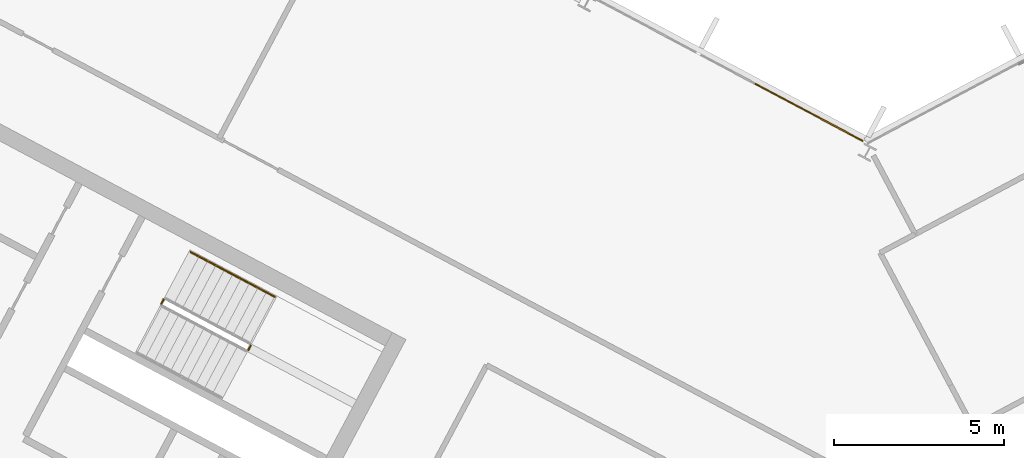
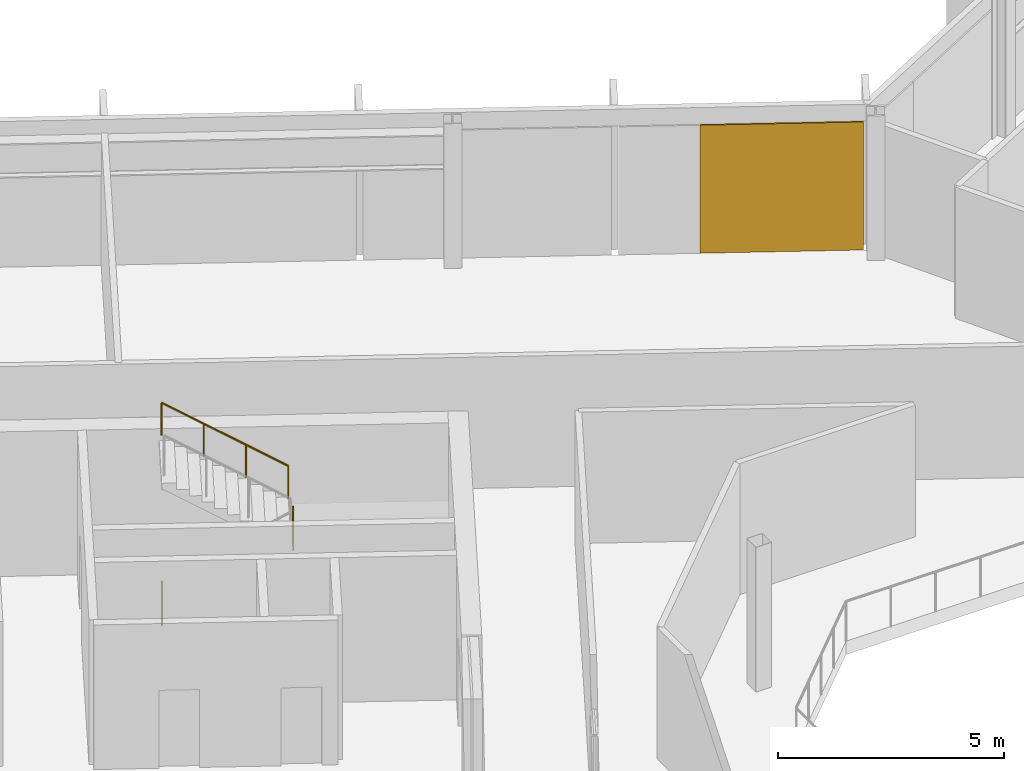
# One storey, part 22 of 25: 3 railings, 1 covering, 1 element without a shape of its own.
"""IFC4 building model written with IfcOpenShell, lengths in metres."""

from ifc_helpers import new_model, si_unit, direction, frame, origin, origin_2d, place, context, subcontext, project, spatial, polyline, rectangle, outline, extrude, material, layer, layer_set, type_object, element, aggregate, save


model = new_model("IFC4")

# Units and contexts
model_context = context("Model", 3, precision=1e-05, world=origin(), true_north=direction((0.0, 1.0)))
body_context = subcontext(model_context, "Body", "Model", "MODEL_VIEW")
ifc_project = project(units=[si_unit("LENGTHUNIT", "METRE"), si_unit("AREAUNIT", "SQUARE_METRE"), si_unit("VOLUMEUNIT", "CUBIC_METRE"), si_unit("PLANEANGLEUNIT", "RADIAN"), si_unit("MASSUNIT", "GRAM", prefix="KILO")], contexts=[model_context])

# Site, building, storey
site_placement = place(None, origin())
site = spatial("IfcSite", under=ifc_project, at=site_placement, CompositionType="ELEMENT")
building_placement = place(site_placement, origin())
building = spatial("IfcBuilding", under=site, at=building_placement, Name="Cormorant Relay Tower", CompositionType="ELEMENT")
storey_placement = place(building_placement, frame((0.0, 0.0, 281.39990234375)))
storey = spatial("IfcBuildingStorey", under=building, at=storey_placement, Name="L63", CompositionType="ELEMENT", Elevation=281.39990234375)

# Curtain wall, covering
ifc_material_1 = material(Name="Aluminium 6063-T6 anodised bronze", Category="aluminium")
ifc_layer_1 = layer(ifc_material_1, 0.199951171875)
ifc_layer_set_1 = layer_set([ifc_layer_1], Name="CW1 unitised bronze curtain wall with vertical fins")
curtain_wall_type = type_object("IfcCurtainWallType", Name="CW1 unitised bronze curtain wall with vertical fins", PredefinedType="NOTDEFINED", material=ifc_layer_set_1)
curtain_wall_placement = place(storey_placement, origin())
curtain_wall = element("IfcCurtainWall", 1, at=curtain_wall_placement, inside=storey, type_object=curtain_wall_type, Name="CW1 curtain wall 9", PredefinedType="NOTDEFINED")
ifc_material_2 = material(Name="Pale bronze anodised aluminium insulated panel", Category="aluminium")
ifc_layer_2 = layer(ifc_material_2, 0.0400390625)
ifc_layer_set_2 = layer_set([ifc_layer_2], Name="CW1 pale bronze insulated panel 40")
covering_type = type_object("IfcCoveringType", Name="CW1 pale bronze insulated panel 40", PredefinedType="CLADDING", material=ifc_layer_set_2)
covering_placement = place(storey_placement, frame((-1.718505859375, 24.720458984375, 0.0), z_axis=(0.0, 0.0, 1.0), x_axis=(-0.882947592859, 0.469471562786, 0.0)))
covering = element("IfcCovering", 2, at=covering_placement, type_object=covering_type, Name="CW1 panel S00", PredefinedType="CLADDING", context=body_context, shape_type="SweptSolid", body=[
    extrude(rectangle(XDim=3.614013671875, YDim=0.0400390625, at=origin_2d()), origin(), (0.0, 0.0, 1.0), 3.449951171875),
])
aggregate(curtain_wall, [covering])

# Railings
ifc_material_3 = material(Name="Steel ASTM A572 Grade 50 (Fy 345 MPa)", Category="steel")
railing_type_1 = type_object("IfcRailingType", Name="Stair guard 1100", PredefinedType="GUARDRAIL", material=ifc_material_3)
railing_1_placement = place(storey_placement, frame((-18.210693359375, 17.72412109375, 1.9501953125)))
element("IfcRailing", 3, at=railing_1_placement, inside=storey, type_object=railing_type_1, Name="L63 A1 stair guard 2", PredefinedType="GUARDRAIL", context=body_context, shape_type="SweptSolid", body=[
    extrude(outline(polyline([(0.022216796875, 0.00927734375), (0.00927734375, 0.022216796875), (-0.00927734375, 0.022216796875), (-0.022216796875, 0.00927734375), (-0.022216796875, -0.00927734375), (-0.00927734375, -0.022216796875), (0.00927734375, -0.022216796875), (0.022216796875, -0.00927734375), (0.022216796875, 0.00927734375)])), frame((0.0, 0.0, 1.076171875), z_axis=(0.470503732759, 0.882398003998, 0.0), x_axis=(-0.882398003998, 0.470503732759, 0.0)), (0.0, 0.0, 1.0), 0.14990234375),
    extrude(outline(polyline([(0.019287109375, 0.008056640625), (0.008056640625, 0.019287109375), (-0.008056640625, 0.019287109375), (-0.019287109375, 0.008056640625), (-0.019287109375, -0.008056640625), (-0.008056640625, -0.019287109375), (0.008056640625, -0.019287109375), (0.019287109375, -0.008056640625), (0.019287109375, 0.008056640625)])), origin(), (0.0, 0.0, 1.0), 1.052001953125),
    extrude(outline(polyline([(0.019287109375, 0.008056640625), (0.008056640625, 0.019287109375), (-0.008056640625, 0.019287109375), (-0.019287109375, 0.008056640625), (-0.019287109375, -0.008056640625), (-0.008056640625, -0.019287109375), (0.008056640625, -0.019287109375), (0.019287109375, -0.008056640625), (0.019287109375, 0.008056640625)])), frame((0.070556640625, 0.13232421875, 0.0)), (0.0, 0.0, 1.0), 1.052001953125),
])
railing_2_placement = place(storey_placement, frame((-20.771240234375, 19.08544921875, 0.0)))
element("IfcRailing", 4, at=railing_2_placement, inside=storey, type_object=railing_type_1, Name="L63 A1 stair guard 4", PredefinedType="GUARDRAIL", context=body_context, shape_type="SweptSolid", body=[
    extrude(outline(polyline([(0.022216796875, 0.00927734375), (0.00927734375, 0.022216796875), (-0.00927734375, 0.022216796875), (-0.022216796875, 0.00927734375), (-0.022216796875, -0.00927734375), (-0.00927734375, -0.022216796875), (0.00927734375, -0.022216796875), (0.022216796875, -0.00927734375), (0.022216796875, 0.00927734375)])), frame((0.0, 0.0, 1.076171875), z_axis=(0.469828648786, 0.882757634224, 0.0), x_axis=(-0.882757634224, 0.469828648786, 0.0)), (0.0, 0.0, 1.0), 0.150146484375),
    extrude(outline(polyline([(0.019287109375, 0.008056640625), (0.008056640625, 0.019287109375), (-0.008056640625, 0.019287109375), (-0.019287109375, 0.008056640625), (-0.019287109375, -0.008056640625), (-0.008056640625, -0.019287109375), (0.008056640625, -0.019287109375), (0.019287109375, -0.008056640625), (0.019287109375, 0.008056640625)])), origin(), (0.0, 0.0, 1.0), 1.052001953125),
    extrude(outline(polyline([(0.019287109375, 0.008056640625), (0.008056640625, 0.019287109375), (-0.008056640625, 0.019287109375), (-0.019287109375, 0.008056640625), (-0.019287109375, -0.008056640625), (-0.008056640625, -0.019287109375), (0.008056640625, -0.019287109375), (0.019287109375, -0.008056640625), (0.019287109375, 0.008056640625)])), frame((0.070556640625, 0.132568359375, 0.0)), (0.0, 0.0, 1.0), 1.052001953125),
])
ifc_material_4 = material(Name="Steel ASTM A572 Grade 50 (Fy 345 MPa)", Category="steel")
railing_type_2 = type_object("IfcRailingType", Name="Stair handrail 900", PredefinedType="HANDRAIL", material=ifc_material_4)
railing_3_placement = place(storey_placement, frame((-17.433349609375, 19.292724609375, 2.12744140625)))
element("IfcRailing", 5, at=railing_3_placement, inside=storey, type_object=railing_type_2, Name="L63 A1 stair handrail 2", PredefinedType="HANDRAIL", context=body_context, shape_type="SweptSolid", body=[
    extrude(outline(polyline([(0.022216796875, 0.00927734375), (0.00927734375, 0.022216796875), (-0.00927734375, 0.022216796875), (-0.022216796875, 0.00927734375), (-0.022216796875, -0.00927734375), (-0.00927734375, -0.022216796875), (0.00927734375, -0.022216796875), (0.022216796875, -0.00927734375), (0.022216796875, 0.00927734375)])), frame((0.0, 0.0, 0.8759765625), z_axis=(-0.746001213114, 0.396649272309, 0.534931345884), x_axis=(-0.469465464807, -0.882950835185, 0.0)), (0.0, 0.0, 1.0), 3.31396484375),
    extrude(outline(polyline([(0.019287109375, 0.008056640625), (0.008056640625, 0.019287109375), (-0.008056640625, 0.019287109375), (-0.019287109375, 0.008056640625), (-0.019287109375, -0.008056640625), (-0.008056640625, -0.019287109375), (0.008056640625, -0.019287109375), (0.019287109375, -0.008056640625), (0.019287109375, 0.008056640625)])), origin(), (0.0, 0.0, 1.0), 0.851806640625),
    extrude(outline(polyline([(0.019287109375, 0.008056640625), (0.008056640625, 0.019287109375), (-0.008056640625, 0.019287109375), (-0.019287109375, 0.008056640625), (-0.019287109375, -0.008056640625), (-0.008056640625, -0.019287109375), (0.008056640625, -0.019287109375), (0.019287109375, -0.008056640625), (0.019287109375, 0.008056640625)])), frame((-0.823974609375, 0.438232421875, 0.5908203125)), (0.0, 0.0, 1.0), 0.851806640625),
    extrude(outline(polyline([(0.019287109375, 0.008056640625), (0.008056640625, 0.019287109375), (-0.008056640625, 0.019287109375), (-0.019287109375, 0.008056640625), (-0.019287109375, -0.008056640625), (-0.008056640625, -0.019287109375), (0.008056640625, -0.019287109375), (0.019287109375, -0.008056640625), (0.019287109375, 0.008056640625)])), frame((-1.648193359375, 0.876220703125, 1.181884765625)), (0.0, 0.0, 1.0), 0.851806640625),
    extrude(outline(polyline([(0.019287109375, 0.008056640625), (0.008056640625, 0.019287109375), (-0.008056640625, 0.019287109375), (-0.019287109375, 0.008056640625), (-0.019287109375, -0.008056640625), (-0.008056640625, -0.019287109375), (0.008056640625, -0.019287109375), (0.019287109375, -0.008056640625), (0.019287109375, 0.008056640625)])), frame((-2.47216796875, 1.314453125, 1.772705078125)), (0.0, 0.0, 1.0), 0.851806640625),
])

save(model, "model.ifc")
